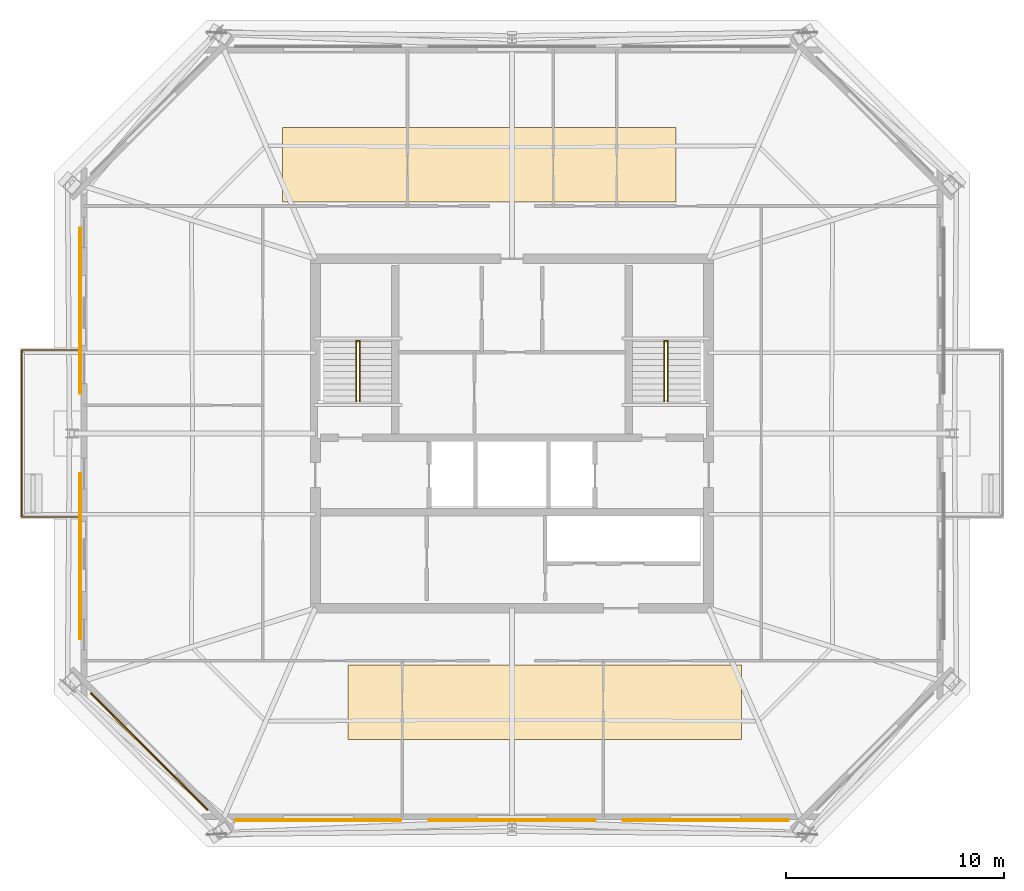
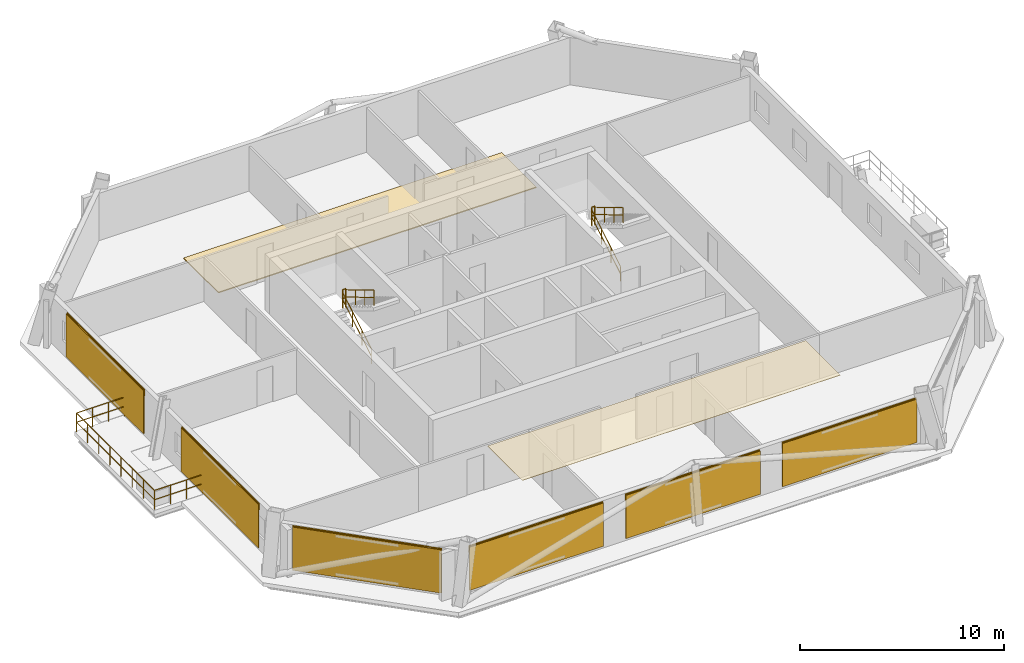
# One storey, part 6 of 7: 8 coverings, 7 railings, 6 shading devices.
"""IFC4 building model written with IfcOpenShell, lengths in metres."""

from ifc_helpers import new_model, si_unit, direction, frame, origin, origin_2d, place, context, subcontext, project, spatial, polyline, rectangle, circle, outline, extrude, material, layer, layer_set, type_object, element, save


model = new_model("IFC4")

# Units and contexts
model_context = context("Model", 3, precision=1e-05, world=origin(), true_north=direction((0.0, 1.0)))
body_context = subcontext(model_context, "Body", "Model", "MODEL_VIEW")
ifc_project = project(units=[si_unit("LENGTHUNIT", "METRE"), si_unit("AREAUNIT", "SQUARE_METRE"), si_unit("VOLUMEUNIT", "CUBIC_METRE"), si_unit("PLANEANGLEUNIT", "RADIAN"), si_unit("MASSUNIT", "GRAM", prefix="KILO")], contexts=[model_context])

# Site, building, storey
site_placement = place(None, origin())
site = spatial("IfcSite", under=ifc_project, at=site_placement, CompositionType="ELEMENT")
building_placement = place(site_placement, origin())
building = spatial("IfcBuilding", under=site, at=building_placement, Name="Caelvoria Tower", CompositionType="ELEMENT")
storey_placement = place(building_placement, frame((0.0, 0.0, 227.39990234375)))
storey = spatial("IfcBuildingStorey", under=building, at=storey_placement, Name="L60", CompositionType="ELEMENT", Elevation=227.39990234375)

# Railing
ifc_material_1 = material(Name="Bronze Anodised Aluminium and Stainless Steel", Category="steel")
railing_type_1 = type_object("IfcRailingType", Name="Exterior Terrace and Balcony Guardrail 1150", PredefinedType="GUARDRAIL", material=ifc_material_1)
railing_1_placement = place(storey_placement, frame((26.267333984375, 28.179931640625, 0.0)))
element("IfcRailing", 1, at=railing_1_placement, inside=storey, type_object=railing_type_1, Name="Tree Balcony Guardrail TB-L60-W", PredefinedType="GUARDRAIL", context=body_context, shape_type="SweptSolid", body=[
    extrude(circle(Radius=0.02392578125, at=origin_2d()), frame((0.0, 0.0, 1.1259765625), z_axis=(-1.0, 0.0, 0.0), x_axis=(0.0, -1.0, 0.0)), (0.0, 0.0, 1.0), 2.7099609375),
    extrude(circle(Radius=0.02392578125, at=origin_2d()), frame((0.0, 0.0, 0.574951171875), z_axis=(-1.0, 0.0, 0.0), x_axis=(0.0, -1.0, 0.0)), (0.0, 0.0, 1.0), 2.7099609375),
    extrude(circle(Radius=0.02392578125, at=origin_2d()), frame((-2.7099609375, 0.0, 1.1259765625), z_axis=(0.0, 1.0, 0.0), x_axis=(-1.0, 0.0, 0.0)), (0.0, 0.0, 1.0), 7.64013671875),
    extrude(circle(Radius=0.02392578125, at=origin_2d()), frame((-2.7099609375, 0.0, 0.574951171875), z_axis=(0.0, 1.0, 0.0), x_axis=(-1.0, 0.0, 0.0)), (0.0, 0.0, 1.0), 7.64013671875),
    extrude(circle(Radius=0.02392578125, at=origin_2d()), frame((-2.7099609375, 7.64013671875, 1.1259765625), z_axis=(1.0, 0.0, 0.0), x_axis=(0.0, 1.0, 0.0)), (0.0, 0.0, 1.0), 2.7099609375),
    extrude(circle(Radius=0.02392578125, at=origin_2d()), frame((-2.7099609375, 7.64013671875, 0.574951171875), z_axis=(1.0, 0.0, 0.0), x_axis=(0.0, 1.0, 0.0)), (0.0, 0.0, 1.0), 2.7099609375),
    extrude(circle(Radius=0.02099609375, at=origin_2d()), origin(), (0.0, 0.0, 1.0), 1.101806640625),
    extrude(circle(Radius=0.02099609375, at=origin_2d()), frame((-0.9033203125, 0.0, 0.0)), (0.0, 0.0, 1.0), 1.101806640625),
    extrude(circle(Radius=0.02099609375, at=origin_2d()), frame((-1.806640625, 0.0, 0.0)), (0.0, 0.0, 1.0), 1.101806640625),
    extrude(circle(Radius=0.02099609375, at=origin_2d()), frame((-2.7099609375, 0.0, 0.0)), (0.0, 0.0, 1.0), 1.101806640625),
    extrude(circle(Radius=0.02099609375, at=origin_2d()), frame((-2.7099609375, 1.091552734375, 0.0)), (0.0, 0.0, 1.0), 1.101806640625),
    extrude(circle(Radius=0.02099609375, at=origin_2d()), frame((-2.7099609375, 2.182861328125, 0.0)), (0.0, 0.0, 1.0), 1.101806640625),
    extrude(circle(Radius=0.02099609375, at=origin_2d()), frame((-2.7099609375, 3.2744140625, 0.0)), (0.0, 0.0, 1.0), 1.101806640625),
    extrude(circle(Radius=0.02099609375, at=origin_2d()), frame((-2.7099609375, 4.36572265625, 0.0)), (0.0, 0.0, 1.0), 1.101806640625),
    extrude(circle(Radius=0.02099609375, at=origin_2d()), frame((-2.7099609375, 5.457275390625, 0.0)), (0.0, 0.0, 1.0), 1.101806640625),
    extrude(circle(Radius=0.02099609375, at=origin_2d()), frame((-2.7099609375, 6.548583984375, 0.0)), (0.0, 0.0, 1.0), 1.101806640625),
    extrude(circle(Radius=0.02099609375, at=origin_2d()), frame((-2.7099609375, 7.64013671875, 0.0)), (0.0, 0.0, 1.0), 1.101806640625),
    extrude(circle(Radius=0.02099609375, at=origin_2d()), frame((-1.806640625, 7.64013671875, 0.0)), (0.0, 0.0, 1.0), 1.101806640625),
    extrude(circle(Radius=0.02099609375, at=origin_2d()), frame((-0.9033203125, 7.64013671875, 0.0)), (0.0, 0.0, 1.0), 1.101806640625),
    extrude(circle(Radius=0.02099609375, at=origin_2d()), frame((0.0, 7.64013671875, 0.0)), (0.0, 0.0, 1.0), 1.101806640625),
])

# Coverings
ifc_material_2 = material(Name="Acoustic Mineral Fibre Tile", Category="gypsum")
ifc_layer_1 = layer(ifc_material_2, 0.02490234375, Name="Acoustic Mineral Fibre Tile")
ifc_layer_set_1 = layer_set([ifc_layer_1], Name="Mineral-Fibre Acoustic Suspended Ceiling 25 - Acoustic Mineral Fibre Tile")
covering_type_1 = type_object("IfcCoveringType", Name="Mineral-Fibre Acoustic Suspended Ceiling 25", PredefinedType="CEILING", material=ifc_layer_set_1)
covering_1_placement = place(storey_placement, frame((0.0, 0.0, 2.650146484375)))
element("IfcCovering", 2, at=covering_1_placement, inside=storey, type_object=covering_type_1, Name="Suspended Acoustic Ceiling L60", PredefinedType="CEILING", context=body_context, shape_type="SweptSolid", body=[
    extrude(outline(polyline([(38.5, 18.0), (56.5, 18.0), (56.5, 21.39990234375), (38.5, 21.39990234375), (38.5, 18.0)])), origin(), (0.0, 0.0, 1.0), 0.02490234375),
])
ifc_material_3 = material(Name="Perforated Architectural Bronze Cladding Screen", Category="bronze")
ifc_layer_2 = layer(ifc_material_3, 0.0400390625, Name="Perforated Architectural Bronze Cladding Screen")
ifc_layer_set_2 = layer_set([ifc_layer_2], Name="Perforated Bronze Louvre Cladding Band 40 - Perforated Architectural Bronze Cladding Screen")
covering_type_2 = type_object("IfcCoveringType", Name="Perforated Bronze Louvre Cladding Band 40", PredefinedType="CLADDING", material=ifc_layer_set_2)
for number, where, z_axis, x_axis, name in (
    (3, (37.136962890625, 14.30810546875, 2.412109375), (0.0, 0.0, 1.0), (1.0, 0.0, 0.0), "Perforated Bronze Screen Band L60-E0-00"),
    (4, (46.0, 14.30810546875, 2.412109375), (0.0, 0.0, 1.0), (1.0, 0.0, 0.0), "Perforated Bronze Screen Band L60-E0-01"),
    (5, (54.863037109375, 14.30810546875, 2.412109375), (0.0, 0.0, 1.0), (1.0, 0.0, 0.0), "Perforated Bronze Screen Band L60-E0-02"),
    (6, (26.2626953125, 37.62451171875, 2.412109375), (0.0, 0.0, 1.0), (0.0, -1.0, 0.0), "Perforated Bronze Screen Band L60-E6-00"),
    (7, (26.2626953125, 26.37548828125, 2.412109375), (0.0, 0.0, 1.0), (0.0, -1.0, 0.0), "Perforated Bronze Screen Band L60-E6-01"),
):
    element("IfcCovering", number, at=place(storey_placement, frame(where, z_axis=z_axis, x_axis=x_axis)), inside=storey, type_object=covering_type_2, Name=name, PredefinedType="CLADDING", context=body_context, shape_type="SweptSolid", body=[
        extrude(rectangle(XDim=7.60009765625, YDim=0.0400390625, at=origin_2d()), origin(), (0.0, 0.0, 1.0), 0.39990234375),
    ])
covering_2_placement = place(storey_placement, frame((29.409912109375, 17.455322265625, 2.412109375), z_axis=(0.0, 0.0, 1.0), x_axis=(0.707106781187, -0.707106781187, 0.0)))
element("IfcCovering", 8, at=covering_2_placement, inside=storey, type_object=covering_type_2, Name="Perforated Bronze Screen Band L60-E7-00", PredefinedType="CLADDING", context=body_context, shape_type="SweptSolid", body=[
    extrude(rectangle(XDim=7.572509765625, YDim=0.0400390625, at=origin_2d()), origin(), (0.0, 0.0, 1.0), 0.39990234375),
])

# Shading devices
ifc_material_4 = material(Name="Perforated Architectural Bronze Alloy Panel", Category="bronze")
ifc_layer_3 = layer(ifc_material_4, 0.044921875, Name="Perforated Architectural Bronze Alloy Panel")
ifc_layer_set_3 = layer_set([ifc_layer_3], Name="Perforated Bronze Solar Screen Panel SCREEN - Perforated Architectural Bronze Alloy Panel")
shading_device_type = type_object("IfcShadingDeviceType", Name="Perforated Bronze Solar Screen Panel SCREEN", PredefinedType="USERDEFINED", material=ifc_layer_set_3)
for number, where, z_axis, x_axis, name in (
    (9, (37.136962890625, 14.26513671875, 0.16015625), (0.0, 0.0, 1.0), (1.0, 0.0, 0.0), "Perforated Bronze Solar Screen L60-E0-00"),
    (10, (46.0, 14.26513671875, 0.16015625), (0.0, 0.0, 1.0), (1.0, 0.0, 0.0), "Perforated Bronze Solar Screen L60-E0-01"),
    (11, (54.863037109375, 14.26513671875, 0.16015625), (0.0, 0.0, 1.0), (1.0, 0.0, 0.0), "Perforated Bronze Solar Screen L60-E0-02"),
    (12, (26.2197265625, 37.62451171875, 0.16015625), (0.0, 0.0, 1.0), (0.0, -1.0, 0.0), "Perforated Bronze Solar Screen L60-E6-00"),
    (13, (26.2197265625, 26.37548828125, 0.16015625), (0.0, 0.0, 1.0), (0.0, -1.0, 0.0), "Perforated Bronze Solar Screen L60-E6-01"),
):
    element("IfcShadingDevice", number, at=place(storey_placement, frame(where, z_axis=z_axis, x_axis=x_axis)), inside=storey, type_object=shading_device_type, Name=name, ObjectType="SCREEN", PredefinedType="USERDEFINED", context=body_context, shape_type="SweptSolid", body=[
        extrude(rectangle(XDim=7.60009765625, YDim=0.044921875, at=origin_2d()), origin(), (0.0, 0.0, 1.0), 2.592041015625),
    ])
shading_device_placement = place(storey_placement, frame((29.379638671875, 17.425048828125, 0.16015625), z_axis=(0.0, 0.0, 1.0), x_axis=(0.707106781187, -0.707106781187, 0.0)))
element("IfcShadingDevice", 14, at=shading_device_placement, inside=storey, type_object=shading_device_type, Name="Perforated Bronze Solar Screen L60-E7-00", ObjectType="SCREEN", PredefinedType="USERDEFINED", context=body_context, shape_type="SweptSolid", body=[
    extrude(rectangle(XDim=7.572509765625, YDim=0.044921875, at=origin_2d()), origin(), (0.0, 0.0, 1.0), 2.592041015625),
])

# Covering
ifc_material_5 = material(Name="Calcium-Sulphate Raised Floor Tile", Category="gypsum")
ifc_layer_4 = layer(ifc_material_5, 0.06005859375, Name="Calcium-Sulphate Raised Floor Tile")
ifc_layer_set_4 = layer_set([ifc_layer_4], Name="Raised Access Office Floor System 120 - Calcium-Sulphate Raised Floor Tile")
covering_type_3 = type_object("IfcCoveringType", Name="Raised Access Office Floor System 120", PredefinedType="FLOORING", material=ifc_layer_set_4)
covering_3_placement = place(storey_placement, origin())
element("IfcCovering", 15, at=covering_3_placement, inside=storey, type_object=covering_type_3, Name="Raised Access Flooring L60", PredefinedType="FLOORING", context=body_context, shape_type="SweptSolid", body=[
    extrude(outline(polyline([(35.5, 42.60009765625), (53.5, 42.60009765625), (53.5, 46.0), (35.5, 46.0), (35.5, 42.60009765625)])), origin(), (0.0, 0.0, 1.0), 0.06005859375),
])

# Railings
ifc_material_6 = material(Name="Brushed Stainless Steel Tube", Category="steel")
railing_type_2 = type_object("IfcRailingType", Name="Stair Tubular Stainless Handrail 920", PredefinedType="HANDRAIL", material=ifc_material_6)
railing_2_placement = place(storey_placement, frame((38.8701171875, 33.449951171875, 0.163818359375)))
element("IfcRailing", 16, at=railing_2_placement, inside=storey, type_object=railing_type_2, Name="ST-01 Flight 1 Handrail L60", PredefinedType="HANDRAIL", context=body_context, shape_type="SweptSolid", body=[
    extrude(circle(Radius=0.02392578125, at=origin_2d()), frame((0.0, 0.0, 0.89599609375), z_axis=(0.0, 0.859385484447, 0.511328259656), x_axis=(-1.0, 0.0, 0.0)), (0.0, 0.0, 1.0), 3.199951171875),
    extrude(circle(Radius=0.02392578125, at=origin_2d()), frame((0.0, 0.0, 0.4599609375), z_axis=(0.0, 0.859385484447, 0.511328259656), x_axis=(-1.0, 0.0, 0.0)), (0.0, 0.0, 1.0), 3.199951171875),
    extrude(circle(Radius=0.02099609375, at=origin_2d()), origin(), (0.0, 0.0, 1.0), 0.871826171875),
    extrude(circle(Radius=0.02099609375, at=origin_2d()), frame((0.0, 0.916748046875, 0.54541015625)), (0.0, 0.0, 1.0), 0.871826171875),
    extrude(circle(Radius=0.02099609375, at=origin_2d()), frame((0.0, 1.833251953125, 1.0908203125)), (0.0, 0.0, 1.0), 0.871826171875),
    extrude(circle(Radius=0.02099609375, at=origin_2d()), frame((0.0, 2.75, 1.63623046875)), (0.0, 0.0, 1.0), 0.871826171875),
])
railing_3_placement = place(storey_placement, frame((39.030029296875, 36.199951171875, 1.963623046875)))
element("IfcRailing", 17, at=railing_3_placement, inside=storey, type_object=railing_type_2, Name="ST-01 Flight 2 Handrail L60", PredefinedType="HANDRAIL", context=body_context, shape_type="SweptSolid", body=[
    extrude(circle(Radius=0.02392578125, at=origin_2d()), frame((0.0, 0.0, 0.89599609375), z_axis=(0.0, -0.859351957796, 0.511384603436), x_axis=(1.0, 0.0, 0.0)), (0.0, 0.0, 1.0), 3.2001953125),
    extrude(circle(Radius=0.02392578125, at=origin_2d()), frame((0.0, 0.0, 0.4599609375), z_axis=(0.0, -0.859351957796, 0.511384603436), x_axis=(1.0, 0.0, 0.0)), (0.0, 0.0, 1.0), 3.2001953125),
    extrude(circle(Radius=0.02099609375, at=origin_2d()), origin(), (0.0, 0.0, 1.0), 0.871826171875),
    extrude(circle(Radius=0.02099609375, at=origin_2d()), frame((0.0, -0.916748046875, 0.54541015625)), (0.0, 0.0, 1.0), 0.871826171875),
    extrude(circle(Radius=0.02099609375, at=origin_2d()), frame((0.0, -1.833251953125, 1.091064453125)), (0.0, 0.0, 1.0), 0.871826171875),
    extrude(circle(Radius=0.02099609375, at=origin_2d()), frame((0.0, -2.75, 1.636474609375)), (0.0, 0.0, 1.0), 0.871826171875),
])
railing_4_placement = place(storey_placement, frame((52.969970703125, 33.449951171875, 0.163818359375)))
element("IfcRailing", 18, at=railing_4_placement, inside=storey, type_object=railing_type_2, Name="ST-02 Flight 1 Handrail L60", PredefinedType="HANDRAIL", context=body_context, shape_type="SweptSolid", body=[
    extrude(circle(Radius=0.02392578125, at=origin_2d()), frame((0.0, 0.0, 0.89599609375), z_axis=(0.0, 0.859385484447, 0.511328259656), x_axis=(-1.0, 0.0, 0.0)), (0.0, 0.0, 1.0), 3.199951171875),
    extrude(circle(Radius=0.02392578125, at=origin_2d()), frame((0.0, 0.0, 0.4599609375), z_axis=(0.0, 0.859385484447, 0.511328259656), x_axis=(-1.0, 0.0, 0.0)), (0.0, 0.0, 1.0), 3.199951171875),
    extrude(circle(Radius=0.02099609375, at=origin_2d()), origin(), (0.0, 0.0, 1.0), 0.871826171875),
    extrude(circle(Radius=0.02099609375, at=origin_2d()), frame((0.0, 0.916748046875, 0.54541015625)), (0.0, 0.0, 1.0), 0.871826171875),
    extrude(circle(Radius=0.02099609375, at=origin_2d()), frame((0.0, 1.833251953125, 1.0908203125)), (0.0, 0.0, 1.0), 0.871826171875),
    extrude(circle(Radius=0.02099609375, at=origin_2d()), frame((0.0, 2.75, 1.63623046875)), (0.0, 0.0, 1.0), 0.871826171875),
])
railing_5_placement = place(storey_placement, frame((53.1298828125, 36.199951171875, 1.963623046875)))
element("IfcRailing", 19, at=railing_5_placement, inside=storey, type_object=railing_type_2, Name="ST-02 Flight 2 Handrail L60", PredefinedType="HANDRAIL", context=body_context, shape_type="SweptSolid", body=[
    extrude(circle(Radius=0.02392578125, at=origin_2d()), frame((0.0, 0.0, 0.89599609375), z_axis=(0.0, -0.859351957796, 0.511384603436), x_axis=(1.0, 0.0, 0.0)), (0.0, 0.0, 1.0), 3.2001953125),
    extrude(circle(Radius=0.02392578125, at=origin_2d()), frame((0.0, 0.0, 0.4599609375), z_axis=(0.0, -0.859351957796, 0.511384603436), x_axis=(1.0, 0.0, 0.0)), (0.0, 0.0, 1.0), 3.2001953125),
    extrude(circle(Radius=0.02099609375, at=origin_2d()), origin(), (0.0, 0.0, 1.0), 0.871826171875),
    extrude(circle(Radius=0.02099609375, at=origin_2d()), frame((0.0, -0.916748046875, 0.54541015625)), (0.0, 0.0, 1.0), 0.871826171875),
    extrude(circle(Radius=0.02099609375, at=origin_2d()), frame((0.0, -1.833251953125, 1.091064453125)), (0.0, 0.0, 1.0), 0.871826171875),
    extrude(circle(Radius=0.02099609375, at=origin_2d()), frame((0.0, -2.75, 1.636474609375)), (0.0, 0.0, 1.0), 0.871826171875),
])
ifc_material_7 = material(Name="Brushed Stainless Steel Guardrail", Category="steel")
railing_type_3 = type_object("IfcRailingType", Name="Stair Well and Ramp Guardrail 1120", PredefinedType="GUARDRAIL", material=ifc_material_7)
for number, where, name in (
    (20, (38.8701171875, 36.239990234375, 1.800048828125), "ST-01 Half-Landing Well Guard L60"),
    (21, (52.969970703125, 36.239990234375, 1.800048828125), "ST-02 Half-Landing Well Guard L60"),
):
    element("IfcRailing", number, at=place(storey_placement, frame(where)), inside=storey, type_object=railing_type_3, Name=name, PredefinedType="GUARDRAIL", context=body_context, shape_type="SweptSolid", body=[
        extrude(circle(Radius=0.02392578125, at=origin_2d()), frame((0.0, 0.0, 1.09619140625), z_axis=(1.0, 0.0, 0.0), x_axis=(0.0, 1.0, 0.0)), (0.0, 0.0, 1.0), 0.159912109375),
        extrude(circle(Radius=0.02392578125, at=origin_2d()), frame((0.0, 0.0, 0.56005859375), z_axis=(1.0, 0.0, 0.0), x_axis=(0.0, 1.0, 0.0)), (0.0, 0.0, 1.0), 0.159912109375),
        extrude(circle(Radius=0.02099609375, at=origin_2d()), origin(), (0.0, 0.0, 1.0), 1.072021484375),
        extrude(circle(Radius=0.02099609375, at=origin_2d()), frame((0.159912109375, 0.0, 0.0)), (0.0, 0.0, 1.0), 1.072021484375),
    ])

save(model, "model.ifc")
